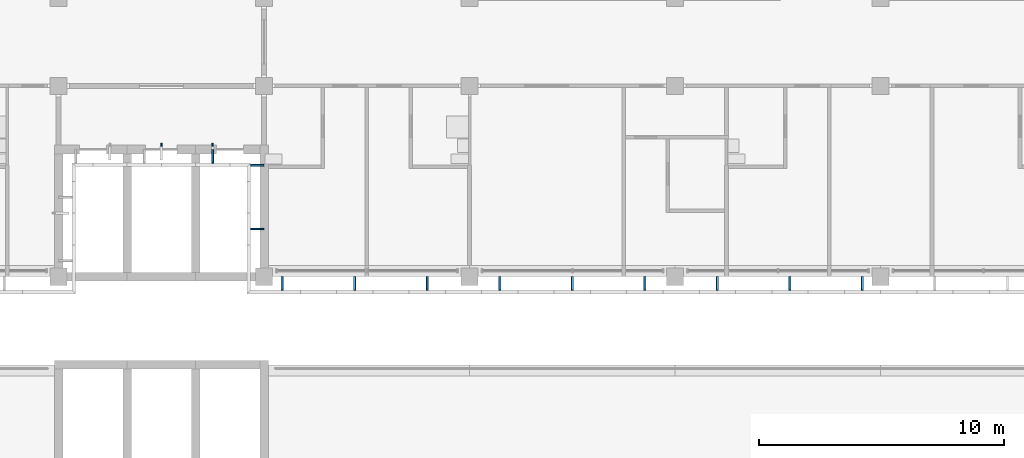
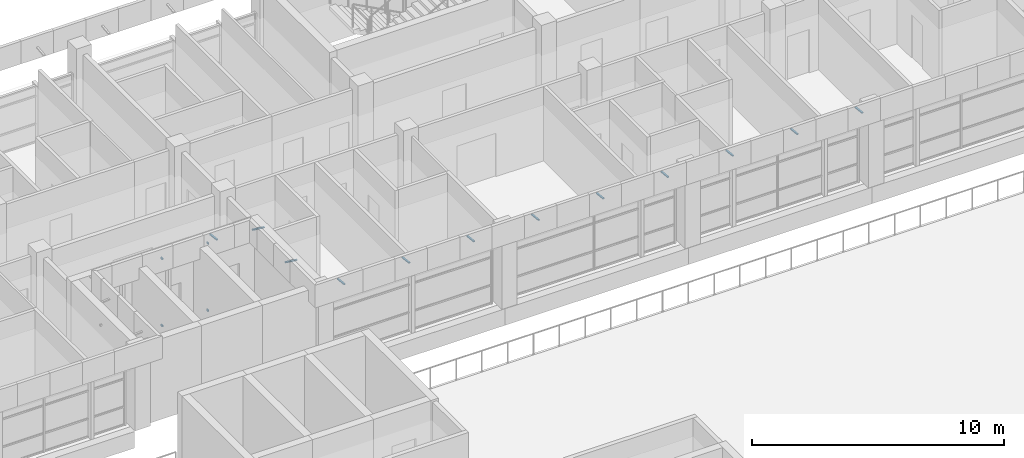
# One storey, part 31 of 46: 16 discrete accessories.
"""IFC4 building model written with IfcOpenShell, lengths in metres."""

from ifc_helpers import new_model, si_unit, direction, frame, origin, origin_2d, place, context, subcontext, project, spatial, rectangle, extrude, material, material_profile, profile_set, type_object, element, save


model = new_model("IFC4")

# Units and contexts
model_context = context("Model", 3, precision=1e-05, world=origin(), true_north=direction((0.0, 1.0)))
body_context = subcontext(model_context, "Body", "Model", "MODEL_VIEW")
ifc_project = project(units=[si_unit("LENGTHUNIT", "METRE"), si_unit("AREAUNIT", "SQUARE_METRE"), si_unit("VOLUMEUNIT", "CUBIC_METRE"), si_unit("PLANEANGLEUNIT", "RADIAN"), si_unit("MASSUNIT", "GRAM", prefix="KILO")], contexts=[model_context])

# Site, building, storey
site_placement = place(None, origin())
site = spatial("IfcSite", under=ifc_project, at=site_placement, CompositionType="ELEMENT")
building_placement = place(site_placement, origin())
building = spatial("IfcBuilding", under=site, at=building_placement, Name="Bougainvillea Quay General Hospital", CompositionType="ELEMENT")
storey_placement = place(building_placement, frame((0.0, 0.0, 28.800048828125)))
storey = spatial("IfcBuildingStorey", under=building, at=storey_placement, Name="L06", CompositionType="ELEMENT", Elevation=28.800048828125)

# Discrete accessories
ifc_material = material(Name="Stainless steel bracket, grade 316", Category="steel")
discrete_accessory_type_1 = type_object("IfcDiscreteAccessoryType", Name="Stainless steel fin arm 60x80", PredefinedType="BRACKET", material=ifc_material)
for number, where, z_axis, x_axis, name in (
    (1, (73.5, 145.7900390625, 0.0), (0.0, 0.0, 1.0), (0.0, -1.0, 0.0), "Fin arm V5A L06 04.1B"),
    (2, (73.5, 145.7900390625, 3.25), (0.0, 0.0, 1.0), (0.0, -1.0, 0.0), "Fin arm V5A L06 04.1T"),
    (3, (71.39990234375, 145.7900390625, 0.0), (0.0, 0.0, 1.0), (0.0, -1.0, 0.0), "Fin arm V5A L06 04.2B"),
    (4, (71.39990234375, 145.7900390625, 3.25), (0.0, 0.0, 1.0), (0.0, -1.0, 0.0), "Fin arm V5A L06 04.2T"),
):
    element("IfcDiscreteAccessory", number, at=place(storey_placement, frame(where, z_axis=z_axis, x_axis=x_axis)), inside=storey, type_object=discrete_accessory_type_1, Name=name, PredefinedType="BRACKET", context=body_context, shape_type="SweptSolid", body=[
        extrude(rectangle(XDim=0.1201171875, YDim=0.06005859375, at=origin_2d()), origin(), (0.0, 0.0, 1.0), 0.080078125),
    ])
ifc_material_profile = material_profile(ifc_material, rectangle(XDim=0.080078125, YDim=0.050048828125, at=origin_2d()))
ifc_profile_set = profile_set([ifc_material_profile], Name="Stainless steel bracket, grade 316")
discrete_accessory_type_2 = type_object("IfcDiscreteAccessoryType", Name="Stainless steel stand-off bracket 80x50", PredefinedType="BRACKET", material=ifc_profile_set)
for number, where, z_axis, x_axis, name in (
    (5, (73.5, 145.60009765625, 3.83984375), (0.0, -0.994091793559, 0.108542645901), (1.0, 0.0, 0.0), "Fascia bracket e0 135"),
    (6, (75.60009765625, 144.949951171875, 3.83984375), (-0.994091793559, 0.0, 0.108542645901), (0.0, -1.0, 0.0), "Fascia bracket e0 137"),
    (7, (75.60009765625, 142.35009765625, 3.83984375), (-0.994091793559, 0.0, 0.108542645901), (0.0, -1.0, 0.0), "Fascia bracket e0 139"),
):
    element("IfcDiscreteAccessory", number, at=place(storey_placement, frame(where, z_axis=z_axis, x_axis=x_axis)), inside=storey, type_object=discrete_accessory_type_2, Name=name, PredefinedType="BRACKET", context=body_context, shape_type="SweptSolid", body=[
        extrude(rectangle(XDim=0.080078125, YDim=0.050048828125, at=origin_2d()), origin(), (0.0, 0.0, 1.0), 0.55322265625),
    ])
for number, where, z_axis, x_axis, name in (
    (8, (76.341064453125, 140.39990234375, 3.83984375), (0.0, -0.994086591779, 0.108590276011), (1.0, 0.0, 0.0), "Fascia bracket e0 141"),
    (9, (79.305908203125, 140.39990234375, 3.83984375), (0.0, -0.994086591779, 0.108590276011), (1.0, 0.0, 0.0), "Fascia bracket e0 143"),
    (10, (82.2705078125, 140.39990234375, 3.83984375), (0.0, -0.994086591779, 0.108590276011), (1.0, 0.0, 0.0), "Fascia bracket e0 145"),
    (11, (85.2353515625, 140.39990234375, 3.83984375), (0.0, -0.994086591779, 0.108590276011), (1.0, 0.0, 0.0), "Fascia bracket e0 147"),
    (12, (88.199951171875, 140.39990234375, 3.83984375), (0.0, -0.994086591779, 0.108590276011), (1.0, 0.0, 0.0), "Fascia bracket e0 149"),
    (13, (91.164794921875, 140.39990234375, 3.83984375), (0.0, -0.994086591779, 0.108590276011), (1.0, 0.0, 0.0), "Fascia bracket e0 151"),
    (14, (94.12939453125, 140.39990234375, 3.83984375), (0.0, -0.994086591779, 0.108590276011), (1.0, 0.0, 0.0), "Fascia bracket e0 153"),
    (15, (97.09423828125, 140.39990234375, 3.83984375), (0.0, -0.994086591779, 0.108590276011), (1.0, 0.0, 0.0), "Fascia bracket e0 155"),
    (16, (100.058837890625, 140.39990234375, 3.83984375), (0.0, -0.994086591779, 0.108590276011), (1.0, 0.0, 0.0), "Fascia bracket e0 157"),
):
    element("IfcDiscreteAccessory", number, at=place(storey_placement, frame(where, z_axis=z_axis, x_axis=x_axis)), inside=storey, type_object=discrete_accessory_type_2, Name=name, PredefinedType="BRACKET", context=body_context, shape_type="SweptSolid", body=[
        extrude(rectangle(XDim=0.080078125, YDim=0.050048828125, at=origin_2d()), origin(), (0.0, 0.0, 1.0), 0.552978515625),
    ])

save(model, "model.ifc")
